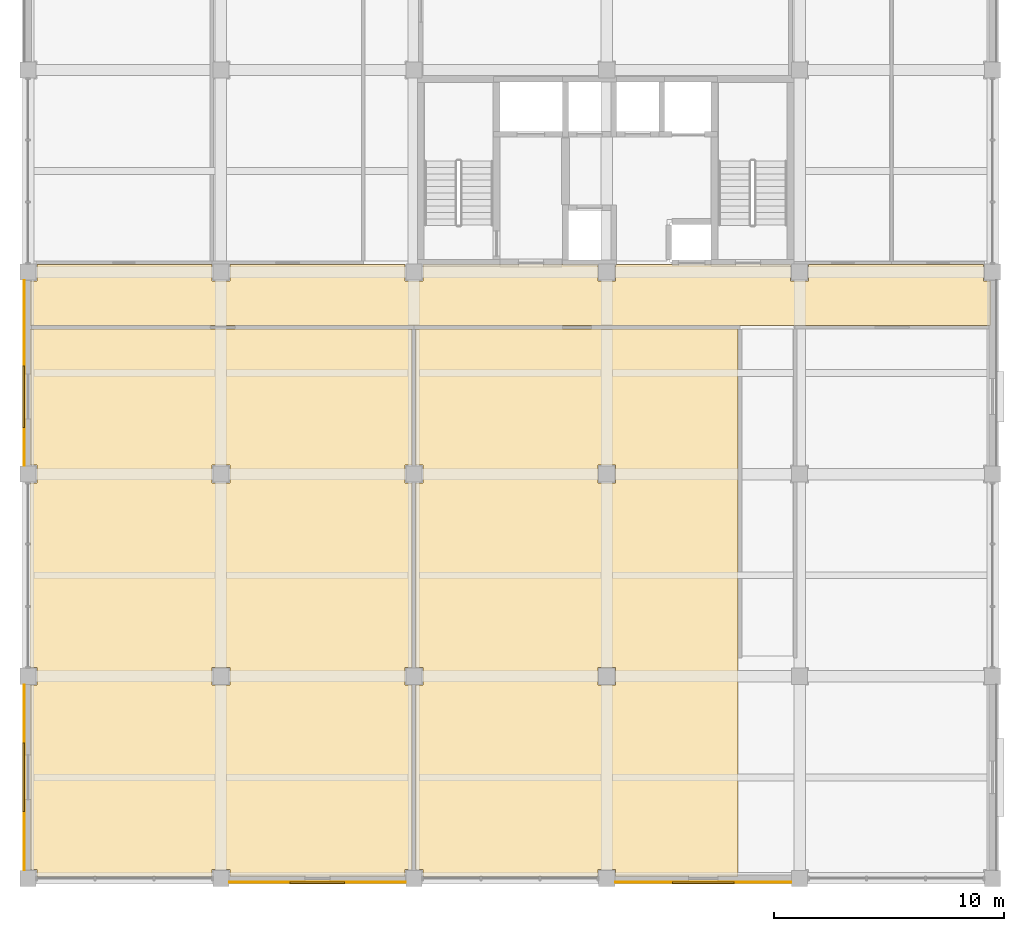
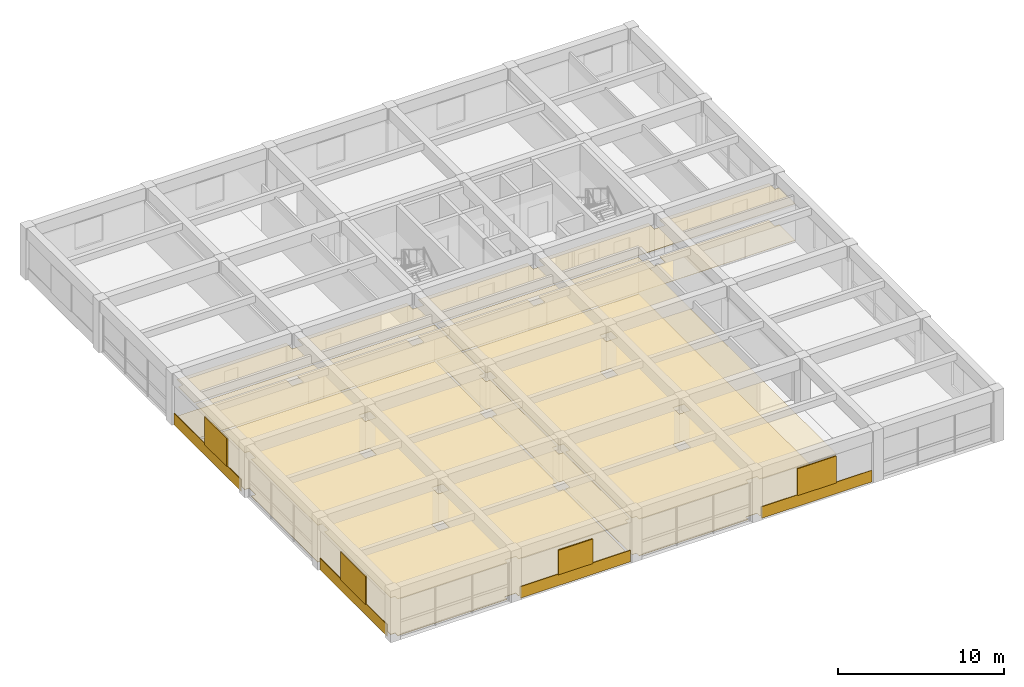
# One storey, part 10 of 12: 10 coverings, 4 shading devices.
"""IFC4 building model written with IfcOpenShell, lengths in metres."""

from ifc_helpers import new_model, si_unit, direction, frame, origin, origin_2d, place, context, subcontext, project, spatial, polyline, rectangle, outline, extrude, material, layer, layer_set, type_object, element, save


model = new_model("IFC4")

# Units and contexts
model_context = context("Model", 3, precision=1e-05, world=origin(), true_north=direction((0.0, 1.0)))
body_context = subcontext(model_context, "Body", "Model", "MODEL_VIEW")
ifc_project = project(units=[si_unit("LENGTHUNIT", "METRE"), si_unit("AREAUNIT", "SQUARE_METRE"), si_unit("VOLUMEUNIT", "CUBIC_METRE"), si_unit("PLANEANGLEUNIT", "RADIAN"), si_unit("MASSUNIT", "GRAM", prefix="KILO")], contexts=[model_context])

# Site, building, storey
site_placement = place(None, origin())
site = spatial("IfcSite", under=ifc_project, at=site_placement, CompositionType="ELEMENT")
building_placement = place(site_placement, origin())
building = spatial("IfcBuilding", under=site, at=building_placement, Name="Kemercrest Conservatory and Botanical Centre", CompositionType="ELEMENT")
storey_placement = place(building_placement, frame((0.0, 0.0, 21.0)))
storey = spatial("IfcBuildingStorey", under=building, at=storey_placement, Name="L05", CompositionType="ELEMENT", Elevation=21.0)

# Coverings
ifc_material_1 = material(Name="Honed limestone almasik ashlar rainscreen", Category="masonry")
ifc_layer_1 = layer(ifc_material_1, 0.0400390625)
ifc_layer_set_1 = layer_set([ifc_layer_1], Name="Honed limestone almasik ashlar rainscreen")
covering_type_1 = type_object("IfcCoveringType", Name="CV-CLD040", PredefinedType="CLADDING", material=ifc_layer_set_1)
covering_1_placement = place(storey_placement, origin())
element("IfcCovering", 1, at=covering_1_placement, inside=storey, type_object=covering_type_1, Name="Exterior stone spandrel cladding (WAL:L05:EXT-237)", PredefinedType="CLADDING", context=body_context, shape_type="SweptSolid", body=[
    extrude(outline(polyline([(142.760009765625, 78.25), (142.760009765625, 78.2099609375), (150.43994140625, 78.2099609375), (150.43994140625, 78.25), (142.760009765625, 78.25)])), origin(), (0.0, 0.0, 1.0), 0.85009765625),
])
covering_2_placement = place(storey_placement, origin())
element("IfcCovering", 2, at=covering_2_placement, inside=storey, type_object=covering_type_1, Name="Exterior stone spandrel cladding (WAL:L05:EXT-238)", PredefinedType="CLADDING", context=body_context, shape_type="SweptSolid", body=[
    extrude(outline(polyline([(159.56005859375, 78.25), (159.56005859375, 78.2099609375), (167.239990234375, 78.2099609375), (167.239990234375, 78.25), (159.56005859375, 78.25)])), origin(), (0.0, 0.0, 1.0), 0.85009765625),
])
covering_3_placement = place(storey_placement, origin())
element("IfcCovering", 3, at=covering_3_placement, inside=storey, type_object=covering_type_1, Name="Exterior stone spandrel cladding (WAL:L05:EXT-248)", PredefinedType="CLADDING", context=body_context, shape_type="SweptSolid", body=[
    extrude(outline(polyline([(133.85009765625, 104.43994140625), (133.81005859375, 104.43994140625), (133.81005859375, 96.360107421875), (133.85009765625, 96.360107421875), (133.85009765625, 104.43994140625)])), origin(), (0.0, 0.0, 1.0), 0.85009765625),
])
covering_4_placement = place(storey_placement, origin())
element("IfcCovering", 4, at=covering_4_placement, inside=storey, type_object=covering_type_1, Name="Exterior stone spandrel cladding (WAL:L05:EXT-249)", PredefinedType="CLADDING", context=body_context, shape_type="SweptSolid", body=[
    extrude(outline(polyline([(133.85009765625, 86.840087890625), (133.81005859375, 86.840087890625), (133.81005859375, 78.760009765625), (133.85009765625, 78.760009765625), (133.85009765625, 86.840087890625)])), origin(), (0.0, 0.0, 1.0), 0.85009765625),
])
ifc_material_2 = material(Name="Perforated acoustic gypsum and mineral-fibre suspended ceiling", Category="gypsum")
ifc_layer_2 = layer(ifc_material_2, 0.034912109375)
ifc_layer_set_2 = layer_set([ifc_layer_2], Name="Perforated acoustic gypsum and mineral-fibre suspended ceiling")
covering_type_2 = type_object("IfcCoveringType", Name="CV-CLG035", PredefinedType="CEILING", material=ifc_layer_set_2)
covering_5_placement = place(storey_placement, frame((0.0, 0.0, 2.699951171875)))
element("IfcCovering", 5, at=covering_5_placement, inside=storey, type_object=covering_type_2, Name="Research Corridor suspended acoustic ceiling", PredefinedType="CEILING", context=body_context, shape_type="SweptSolid", body=[
    extrude(outline(polyline([(134.080078125, 102.47998046875), (175.919921875, 102.47998046875), (175.919921875, 104.409912109375), (175.610107421875, 104.409912109375), (175.610107421875, 105.1201171875), (167.989990234375, 105.1201171875), (167.989990234375, 104.409912109375), (167.2099609375, 104.409912109375), (167.2099609375, 105.1201171875), (159.590087890625, 105.1201171875), (159.590087890625, 104.409912109375), (158.81005859375, 104.409912109375), (158.81005859375, 105.1201171875), (151.18994140625, 105.1201171875), (151.18994140625, 104.409912109375), (150.409912109375, 104.409912109375), (150.409912109375, 105.1201171875), (142.7900390625, 105.1201171875), (142.7900390625, 104.409912109375), (142.010009765625, 104.409912109375), (142.010009765625, 105.1201171875), (134.389892578125, 105.1201171875), (134.389892578125, 104.409912109375), (134.080078125, 104.409912109375), (134.080078125, 102.47998046875)])), origin(), (0.0, 0.0, 1.0), 0.03515625),
])
covering_6_placement = place(storey_placement, frame((0.0, 0.0, 2.699951171875)))
element("IfcCovering", 6, at=covering_6_placement, inside=storey, type_object=covering_type_2, Name="Wet Botanical Research Laboratory suspended acoustic ceiling", PredefinedType="CEILING", context=body_context, shape_type="SweptSolid", body=[
    extrude(outline(polyline([(142.010009765625, 78.7900390625), (142.7900390625, 78.7900390625), (142.7900390625, 78.47998046875), (150.409912109375, 78.47998046875), (150.409912109375, 78.7900390625), (150.719970703125, 78.7900390625), (150.719970703125, 86.81005859375), (150.409912109375, 86.81005859375), (150.409912109375, 87.590087890625), (150.719970703125, 87.590087890625), (150.719970703125, 95.610107421875), (150.409912109375, 95.610107421875), (150.409912109375, 96.389892578125), (150.719970703125, 96.389892578125), (150.719970703125, 102.320068359375), (134.080078125, 102.320068359375), (134.080078125, 96.389892578125), (134.389892578125, 96.389892578125), (134.389892578125, 95.610107421875), (134.080078125, 95.610107421875), (134.080078125, 87.590087890625), (134.389892578125, 87.590087890625), (134.389892578125, 86.81005859375), (134.080078125, 86.81005859375), (134.080078125, 78.7900390625), (134.389892578125, 78.7900390625), (134.389892578125, 78.47998046875), (142.010009765625, 78.47998046875), (142.010009765625, 78.7900390625)]), holes=[polyline([(142.010009765625, 87.590087890625), (142.7900390625, 87.590087890625), (142.7900390625, 86.81005859375), (142.010009765625, 86.81005859375), (142.010009765625, 87.590087890625)]), polyline([(142.7900390625, 96.389892578125), (142.7900390625, 95.610107421875), (142.010009765625, 95.610107421875), (142.010009765625, 96.389892578125), (142.7900390625, 96.389892578125)])]), origin(), (0.0, 0.0, 1.0), 0.03515625),
])
covering_7_placement = place(storey_placement, frame((0.0, 0.0, 2.699951171875)))
element("IfcCovering", 7, at=covering_7_placement, inside=storey, type_object=covering_type_2, Name="Chromatography Instrument Laboratory suspended acoustic ceiling", PredefinedType="CEILING", context=body_context, shape_type="SweptSolid", body=[
    extrude(outline(polyline([(158.81005859375, 78.7900390625), (159.590087890625, 78.7900390625), (159.590087890625, 78.47998046875), (164.919921875, 78.47998046875), (164.919921875, 102.320068359375), (150.8798828125, 102.320068359375), (150.8798828125, 96.389892578125), (151.18994140625, 96.389892578125), (151.18994140625, 95.610107421875), (150.8798828125, 95.610107421875), (150.8798828125, 87.590087890625), (151.18994140625, 87.590087890625), (151.18994140625, 86.81005859375), (150.8798828125, 86.81005859375), (150.8798828125, 78.7900390625), (151.18994140625, 78.7900390625), (151.18994140625, 78.47998046875), (158.81005859375, 78.47998046875), (158.81005859375, 78.7900390625)]), holes=[polyline([(158.81005859375, 87.590087890625), (159.590087890625, 87.590087890625), (159.590087890625, 86.81005859375), (158.81005859375, 86.81005859375), (158.81005859375, 87.590087890625)]), polyline([(158.81005859375, 96.389892578125), (159.590087890625, 96.389892578125), (159.590087890625, 95.610107421875), (158.81005859375, 95.610107421875), (158.81005859375, 96.389892578125)])]), origin(), (0.0, 0.0, 1.0), 0.03515625),
])
ifc_material_3 = material(Name="Polished limestone terrazzo and seamless laboratory epoxy flooring", Category="masonry")
ifc_layer_3 = layer(ifc_material_3, 0.02001953125)
ifc_layer_set_3 = layer_set([ifc_layer_3], Name="Polished limestone terrazzo and seamless laboratory epoxy flooring")
covering_type_3 = type_object("IfcCoveringType", Name="CV-FLR020", PredefinedType="FLOORING", material=ifc_layer_set_3)
covering_8_placement = place(storey_placement, origin())
element("IfcCovering", 8, at=covering_8_placement, inside=storey, type_object=covering_type_3, Name="Research Corridor floor finish", PredefinedType="FLOORING", context=body_context, shape_type="SweptSolid", body=[
    extrude(outline(polyline([(134.080078125, 102.47998046875), (175.919921875, 102.47998046875), (175.919921875, 104.409912109375), (175.610107421875, 104.409912109375), (175.610107421875, 105.1201171875), (167.989990234375, 105.1201171875), (167.989990234375, 104.409912109375), (167.2099609375, 104.409912109375), (167.2099609375, 105.1201171875), (159.590087890625, 105.1201171875), (159.590087890625, 104.409912109375), (158.81005859375, 104.409912109375), (158.81005859375, 105.1201171875), (151.18994140625, 105.1201171875), (151.18994140625, 104.409912109375), (150.409912109375, 104.409912109375), (150.409912109375, 105.1201171875), (142.7900390625, 105.1201171875), (142.7900390625, 104.409912109375), (142.010009765625, 104.409912109375), (142.010009765625, 105.1201171875), (134.389892578125, 105.1201171875), (134.389892578125, 104.409912109375), (134.080078125, 104.409912109375), (134.080078125, 102.47998046875)])), origin(), (0.0, 0.0, 1.0), 0.02001953125),
])
covering_9_placement = place(storey_placement, origin())
element("IfcCovering", 9, at=covering_9_placement, inside=storey, type_object=covering_type_3, Name="Wet Botanical Research Laboratory floor finish", PredefinedType="FLOORING", context=body_context, shape_type="SweptSolid", body=[
    extrude(outline(polyline([(142.010009765625, 78.7900390625), (142.7900390625, 78.7900390625), (142.7900390625, 78.47998046875), (150.409912109375, 78.47998046875), (150.409912109375, 78.7900390625), (150.719970703125, 78.7900390625), (150.719970703125, 86.81005859375), (150.409912109375, 86.81005859375), (150.409912109375, 87.590087890625), (150.719970703125, 87.590087890625), (150.719970703125, 95.610107421875), (150.409912109375, 95.610107421875), (150.409912109375, 96.389892578125), (150.719970703125, 96.389892578125), (150.719970703125, 102.320068359375), (134.080078125, 102.320068359375), (134.080078125, 96.389892578125), (134.389892578125, 96.389892578125), (134.389892578125, 95.610107421875), (134.080078125, 95.610107421875), (134.080078125, 87.590087890625), (134.389892578125, 87.590087890625), (134.389892578125, 86.81005859375), (134.080078125, 86.81005859375), (134.080078125, 78.7900390625), (134.389892578125, 78.7900390625), (134.389892578125, 78.47998046875), (142.010009765625, 78.47998046875), (142.010009765625, 78.7900390625)]), holes=[polyline([(142.010009765625, 87.590087890625), (142.7900390625, 87.590087890625), (142.7900390625, 86.81005859375), (142.010009765625, 86.81005859375), (142.010009765625, 87.590087890625)]), polyline([(142.7900390625, 96.389892578125), (142.7900390625, 95.610107421875), (142.010009765625, 95.610107421875), (142.010009765625, 96.389892578125), (142.7900390625, 96.389892578125)])]), origin(), (0.0, 0.0, 1.0), 0.02001953125),
])
covering_10_placement = place(storey_placement, origin())
element("IfcCovering", 10, at=covering_10_placement, inside=storey, type_object=covering_type_3, Name="Chromatography Instrument Laboratory floor finish", PredefinedType="FLOORING", context=body_context, shape_type="SweptSolid", body=[
    extrude(outline(polyline([(158.81005859375, 78.7900390625), (159.590087890625, 78.7900390625), (159.590087890625, 78.47998046875), (164.919921875, 78.47998046875), (164.919921875, 102.320068359375), (150.8798828125, 102.320068359375), (150.8798828125, 96.389892578125), (151.18994140625, 96.389892578125), (151.18994140625, 95.610107421875), (150.8798828125, 95.610107421875), (150.8798828125, 87.590087890625), (151.18994140625, 87.590087890625), (151.18994140625, 86.81005859375), (150.8798828125, 86.81005859375), (150.8798828125, 78.7900390625), (151.18994140625, 78.7900390625), (151.18994140625, 78.47998046875), (158.81005859375, 78.47998046875), (158.81005859375, 78.7900390625)]), holes=[polyline([(158.81005859375, 87.590087890625), (159.590087890625, 87.590087890625), (159.590087890625, 86.81005859375), (158.81005859375, 86.81005859375), (158.81005859375, 87.590087890625)]), polyline([(158.81005859375, 96.389892578125), (159.590087890625, 96.389892578125), (159.590087890625, 95.610107421875), (158.81005859375, 95.610107421875), (158.81005859375, 96.389892578125)])]), origin(), (0.0, 0.0, 1.0), 0.02001953125),
])

# Shading devices
ifc_material_4 = material(Name="Perforated bronze-anodized aluminium", Category="aluminium")
shading_device_type_1 = type_object("IfcShadingDeviceType", Name="SH-MS03", PredefinedType="USERDEFINED", material=ifc_material_4)
shading_device_1_placement = place(storey_placement, frame((146.60009765625, 78.2119140625, 0.820068359375), z_axis=(0.0, 0.0, 1.0), x_axis=(1.0, 0.0, 0.0)))
element("IfcShadingDevice", 11, at=shading_device_1_placement, inside=storey, type_object=shading_device_type_1, Name="Ottoman mashrabiya perforated screen SH-MS03 (WIN:L05:EXT-237)", ObjectType="MASHRABIYA SCREEN", PredefinedType="USERDEFINED", context=body_context, shape_type="SweptSolid", body=[
    extrude(rectangle(XDim=2.39990234375, YDim=0.080078125, at=origin_2d()), origin(), (0.0, 0.0, 1.0), 1.81005859375),
])
shading_device_type_2 = type_object("IfcShadingDeviceType", Name="SH-MS04", PredefinedType="USERDEFINED", material=ifc_material_4)
shading_device_2_placement = place(storey_placement, frame((163.39990234375, 78.2119140625, 0.820068359375), z_axis=(0.0, 0.0, 1.0), x_axis=(1.0, 0.0, 0.0)))
element("IfcShadingDevice", 12, at=shading_device_2_placement, inside=storey, type_object=shading_device_type_2, Name="Ottoman mashrabiya perforated screen SH-MS04 (WIN:L05:EXT-238)", ObjectType="MASHRABIYA SCREEN", PredefinedType="USERDEFINED", context=body_context, shape_type="SweptSolid", body=[
    extrude(rectangle(XDim=2.699951171875, YDim=0.080078125, at=origin_2d()), origin(), (0.0, 0.0, 1.0), 1.97998046875),
])
shading_device_3_placement = place(storey_placement, frame((133.81201171875, 99.3798828125, 0.820068359375), z_axis=(0.0, 0.0, 1.0), x_axis=(0.0, -1.0, 0.0)))
element("IfcShadingDevice", 13, at=shading_device_3_placement, inside=storey, type_object=shading_device_type_2, Name="Ottoman mashrabiya perforated screen SH-MS04 (WIN:L05:EXT-248)", ObjectType="MASHRABIYA SCREEN", PredefinedType="USERDEFINED", context=body_context, shape_type="SweptSolid", body=[
    extrude(rectangle(XDim=2.699951171875, YDim=0.080078125, at=origin_2d()), origin(), (0.0, 0.0, 1.0), 2.06005859375),
])
shading_device_type_3 = type_object("IfcShadingDeviceType", Name="SH-MS05", PredefinedType="USERDEFINED", material=ifc_material_4)
shading_device_4_placement = place(storey_placement, frame((133.81201171875, 82.800048828125, 0.820068359375), z_axis=(0.0, 0.0, 1.0), x_axis=(0.0, -1.0, 0.0)))
element("IfcShadingDevice", 14, at=shading_device_4_placement, inside=storey, type_object=shading_device_type_3, Name="Ottoman mashrabiya perforated screen SH-MS05 (WIN:L05:EXT-249)", ObjectType="MASHRABIYA SCREEN", PredefinedType="USERDEFINED", context=body_context, shape_type="SweptSolid", body=[
    extrude(rectangle(XDim=3.0, YDim=0.080078125, at=origin_2d()), origin(), (0.0, 0.0, 1.0), 2.06005859375),
])

save(model, "model.ifc")
